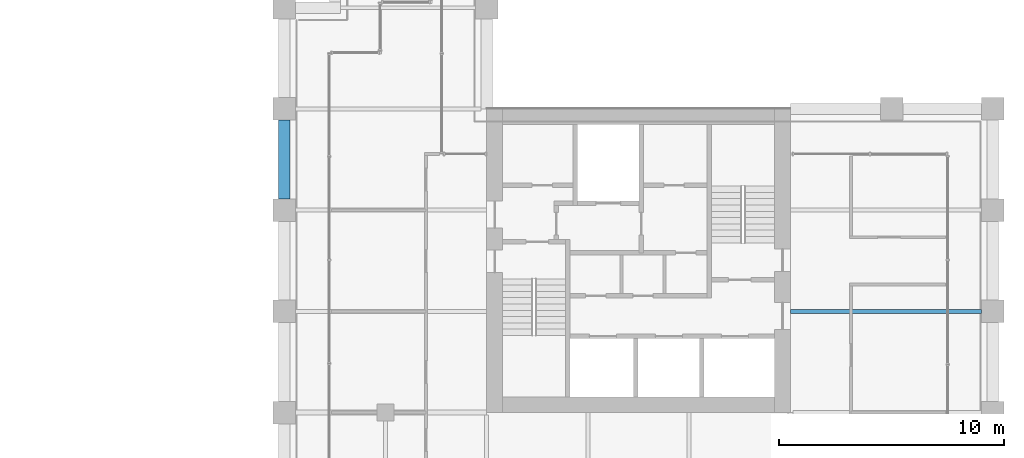
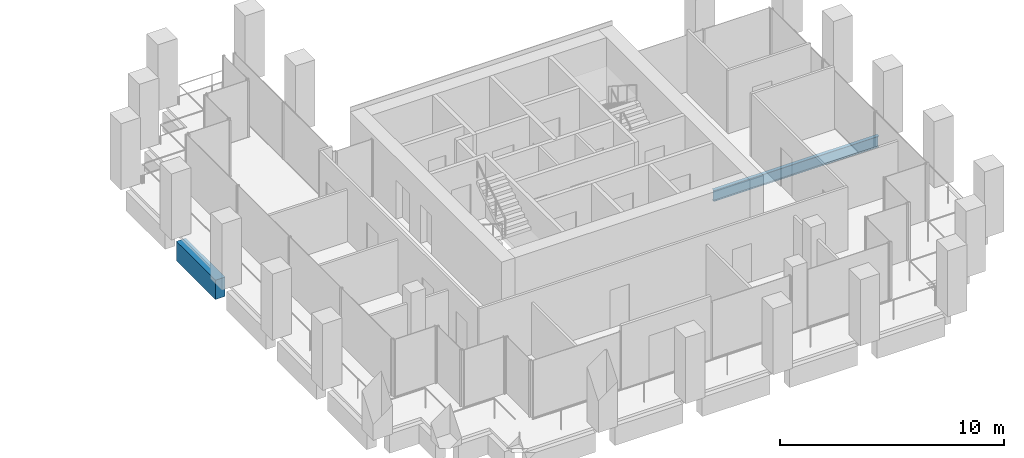
# One storey, part 33 of 47: 2 beams.
"""IFC4 building model written with IfcOpenShell, lengths in metres."""

from ifc_helpers import new_model, si_unit, direction, frame, origin, origin_2d, place, context, subcontext, project, spatial, rectangle, i_section, extrude, material, material_profile, profile_set, type_object, element, save


model = new_model("IFC4")

# Units and contexts
model_context = context("Model", 3, precision=1e-05, world=origin(), true_north=direction((0.0, 1.0)))
body_context = subcontext(model_context, "Body", "Model", "MODEL_VIEW")
ifc_project = project(units=[si_unit("LENGTHUNIT", "METRE"), si_unit("AREAUNIT", "SQUARE_METRE"), si_unit("VOLUMEUNIT", "CUBIC_METRE"), si_unit("PLANEANGLEUNIT", "RADIAN"), si_unit("MASSUNIT", "GRAM", prefix="KILO")], contexts=[model_context])

# Site, building, storey
site_placement = place(None, origin())
site = spatial("IfcSite", under=ifc_project, at=site_placement, CompositionType="ELEMENT")
building_placement = place(site_placement, origin())
building = spatial("IfcBuilding", under=site, at=building_placement, Name="Altepetl Exchange Towers", CompositionType="ELEMENT")
storey_placement = place(building_placement, frame((0.0, 0.0, 95.60009765625)))
storey = spatial("IfcBuildingStorey", under=building, at=storey_placement, Name="L23", CompositionType="ELEMENT", Elevation=95.60009765625)

# Beams
ifc_material_1 = material(Name="Steel S355", Category="steel")
ifc_material_profile_1 = material_profile(ifc_material_1, i_section(OverallWidth=0.177978515625, OverallDepth=0.59912109375, WebThickness=0.010009765625, FlangeThickness=0.0126953125, at=origin_2d()), Name="W24X55")
ifc_profile_set_1 = profile_set([ifc_material_profile_1], Name="Steel S355")
beam_type_1 = type_object("IfcBeamType", Name="Floor beam W24X55", PredefinedType="BEAM", material=ifc_profile_set_1)
beam_1_placement = place(storey_placement, frame((117.0, 40.5, -0.44970703125), z_axis=(1.0, 0.0, 0.0), x_axis=(0.0, 1.0, 0.0)))
element("IfcBeam", 1, at=beam_1_placement, inside=storey, type_object=beam_type_1, Name="bm:B:L23:002", PredefinedType="BEAM", context=body_context, shape_type="SweptSolid", body=[
    extrude(i_section(OverallWidth=0.177978515625, OverallDepth=0.59912109375, WebThickness=0.010009765625, FlangeThickness=0.0126953125, at=origin_2d()), origin(), (0.0, 0.0, 1.0), 8.5),
])
ifc_material_2 = material(Name="Concrete C50/60 precast with cantera rosa facing", Category="concrete")
ifc_material_profile_2 = material_profile(ifc_material_2, rectangle(XDim=0.5, YDim=1.050048828125, at=origin_2d()), Name="500 x 1050")
ifc_profile_set_2 = profile_set([ifc_material_profile_2], Name="Concrete C50/60 precast with cantera rosa facing")
beam_type_2 = type_object("IfcBeamType", Name="Spandrel beam 500x1050 cantera rosa", PredefinedType="SPANDREL", material=ifc_profile_set_2)
beam_2_placement = place(storey_placement, frame((94.5, 49.0, -0.675048828125), z_axis=(0.0, -1.0, 0.0), x_axis=(1.0, 0.0, 0.0)))
element("IfcBeam", 2, at=beam_2_placement, inside=storey, type_object=beam_type_2, Name="sp:B:L23:023", PredefinedType="SPANDREL", context=body_context, shape_type="SweptSolid", body=[
    extrude(rectangle(XDim=0.5, YDim=1.050048828125, at=origin_2d()), origin(), (0.0, 0.0, 1.0), 3.5),
])

save(model, "model.ifc")
